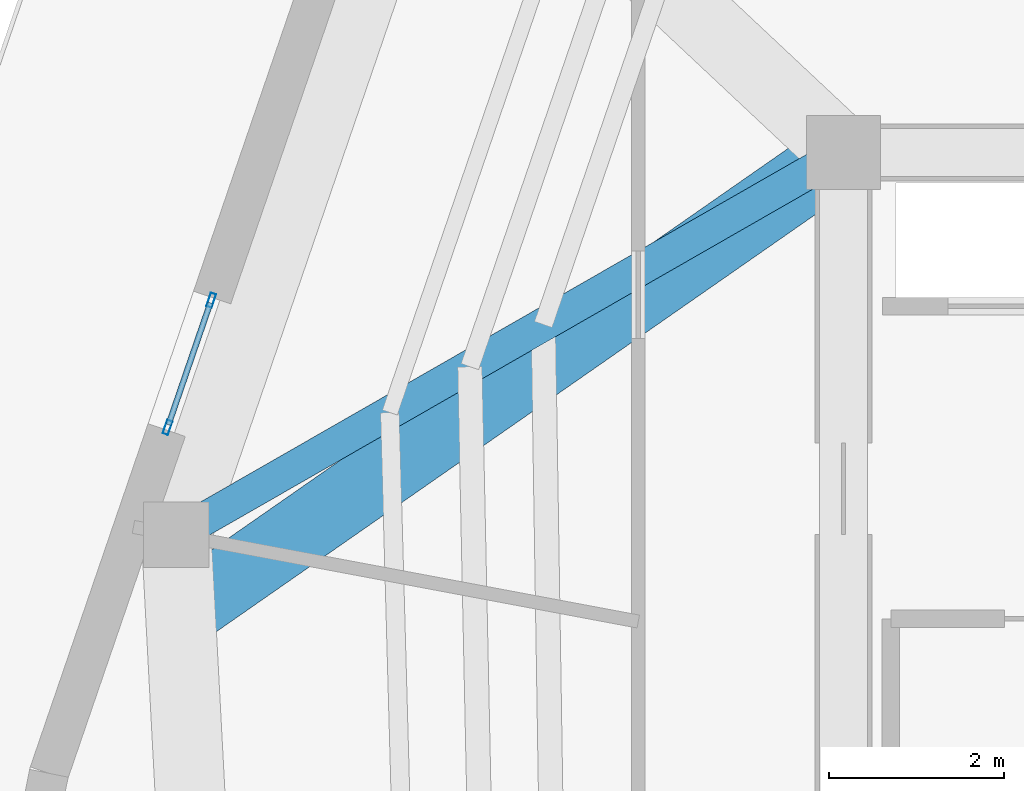
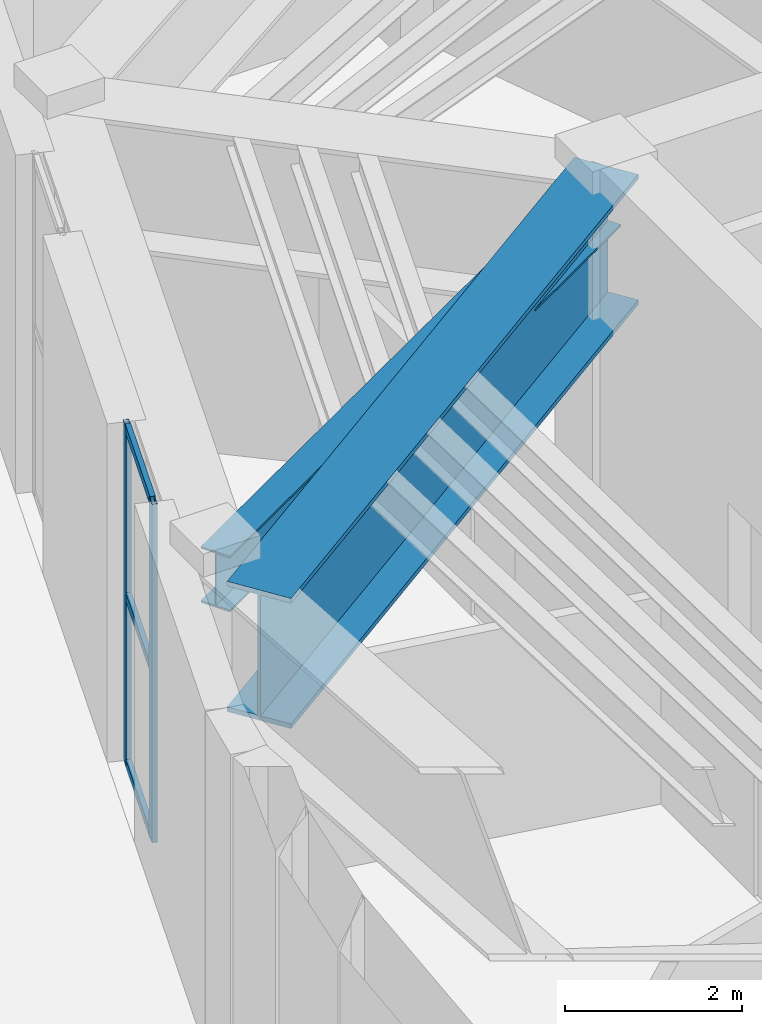
# One storey, part 7 of 24: 5 members, 2 beams, 1 element without a shape of its own.
"""IFC4 building model written with IfcOpenShell, lengths in metres."""

from ifc_helpers import new_model, si_unit, direction, frame, origin, origin_2d, place, context, subcontext, project, spatial, hollow_rectangle, i_section, extrude, material, layer, layer_set, material_profile, profile_set, type_object, element, aggregate, save


model = new_model("IFC4")

# Units and contexts
model_context = context("Model", 3, precision=1e-05, world=origin(), true_north=direction((0.0, 1.0)))
body_context = subcontext(model_context, "Body", "Model", "MODEL_VIEW")
ifc_project = project(units=[si_unit("LENGTHUNIT", "METRE"), si_unit("AREAUNIT", "SQUARE_METRE"), si_unit("VOLUMEUNIT", "CUBIC_METRE"), si_unit("PLANEANGLEUNIT", "RADIAN"), si_unit("MASSUNIT", "GRAM", prefix="KILO")], contexts=[model_context])

# Site, building, storey
site_placement = place(None, origin())
site = spatial("IfcSite", under=ifc_project, at=site_placement, CompositionType="ELEMENT")
building_placement = place(site_placement, origin())
building = spatial("IfcBuilding", under=site, at=building_placement, Name="Kilnhurst Terrace Hotel", CompositionType="ELEMENT")
storey_placement = place(building_placement, frame((0.0, 0.0, 305.39990234375)))
storey = spatial("IfcBuildingStorey", under=building, at=storey_placement, Name="L76", CompositionType="ELEMENT", Elevation=305.39990234375)

# Beam
ifc_material_1 = material(Name="Steel ASTM A992 Grade 50", Category="steel")
ifc_material_profile_1 = material_profile(ifc_material_1, i_section(OverallWidth=0.380615234375, OverallDepth=0.773193359375, WebThickness=0.0166015625, FlangeThickness=0.027099609375, at=origin_2d()), Name="W30X173")
ifc_profile_set_1 = profile_set([ifc_material_profile_1], Name="Steel ASTM A992 Grade 50")
beam_type_1 = type_object("IfcBeamType", Name="BM-STL-W30X173", PredefinedType="BEAM", material=ifc_profile_set_1)
beam_1_placement = place(storey_placement, frame((-9.0, 7.5, 4.293212890625), z_axis=(-0.867520700854, -0.497401079201, 0.0), x_axis=(0.497401079201, -0.867520700854, 0.0)))
element("IfcBeam", 1, at=beam_1_placement, inside=storey, type_object=beam_type_1, Name="L76 Radial Floor Beam 10", PredefinedType="BEAM", context=body_context, shape_type="SweptSolid", body=[
    extrude(i_section(OverallWidth=0.380615234375, OverallDepth=0.773193359375, WebThickness=0.0166015625, FlangeThickness=0.027099609375, at=origin_2d()), origin(), (0.0, 0.0, 1.0), 8.80810546875),
])

# Curtain wall, members
ifc_material_2 = material(Name="Anodized Aluminium Alloy 6063-T6 and Low-E Glass", Category="aluminium")
ifc_layer = layer(ifc_material_2, 0.219970703125, Name="Anodized Aluminium Alloy 6063-T6 and Low-E Glass")
ifc_layer_set = layer_set([ifc_layer], Name="Anodized Aluminium Alloy 6063-T6 and Low-E Glass")
curtain_wall_type = type_object("IfcCurtainWallType", Name="CW-OBS-CROWN", PredefinedType="NOTDEFINED", material=ifc_layer_set)
curtain_wall_placement = place(storey_placement, origin())
curtain_wall = element("IfcCurtainWall", 2, at=curtain_wall_placement, inside=storey, type_object=curtain_wall_type, Name="L76 Curtain Wall CW-L76-F5-2", PredefinedType="NOTDEFINED")
ifc_material_3 = material(Name="Extruded Aluminium Alloy 6063-T6", Category="aluminium")
ifc_material_profile_2 = material_profile(ifc_material_3, hollow_rectangle(XDim=0.06494140625, YDim=0.1650390625, WallThickness=0.00341796875, at=origin_2d()), Name="CWM65X165")
ifc_profile_set_2 = profile_set([ifc_material_profile_2], Name="Extruded Aluminium Alloy 6063-T6")
member_type_1 = type_object("IfcMemberType", Name="MEM-CWM65X165", PredefinedType="MULLION", material=ifc_profile_set_2)
member_1_placement = place(storey_placement, frame((-16.241455078125, 5.807373046875, 0.0), z_axis=(0.0, 0.0, 1.0), x_axis=(0.945886945462, -0.324496358075, 0.0)))
member_1 = element("IfcMember", 3, at=member_1_placement, type_object=member_type_1, Name="CWO-6 mullion 1", PredefinedType="MULLION", context=body_context, shape_type="SweptSolid", body=[
    extrude(hollow_rectangle(XDim=0.06494140625, YDim=0.1650390625, WallThickness=0.00341796875, at=origin_2d()), origin(), (0.0, 0.0, 1.0), 4.68017578125),
])
member_2_placement = place(storey_placement, frame((-16.7412109375, 4.350830078125, 0.0), z_axis=(0.0, 0.0, 1.0), x_axis=(0.945886945462, -0.324496358075, 0.0)))
member_2 = element("IfcMember", 4, at=member_2_placement, type_object=member_type_1, Name="CWO-6 mullion 2", PredefinedType="MULLION", context=body_context, shape_type="SweptSolid", body=[
    extrude(hollow_rectangle(XDim=0.06494140625, YDim=0.1650390625, WallThickness=0.00341796875, at=origin_2d()), origin(), (0.0, 0.0, 1.0), 4.68017578125),
])
ifc_material_profile_3 = material_profile(ifc_material_3, hollow_rectangle(XDim=0.06494140625, YDim=0.1201171875, WallThickness=0.00341796875, at=origin_2d()), Name="CWT65X120")
ifc_profile_set_3 = profile_set([ifc_material_profile_3], Name="Extruded Aluminium Alloy 6063-T6")
member_type_2 = type_object("IfcMemberType", Name="MEM-CWT65X120", PredefinedType="USERDEFINED", material=ifc_profile_set_3)
member_3_placement = place(storey_placement, frame((-16.251953125, 5.776611328125, 0.03271484375), z_axis=(-0.324607853994, -0.945848688282, 0.0), x_axis=(0.945848688282, -0.324607853994, 0.0)))
member_3 = element("IfcMember", 5, at=member_3_placement, type_object=member_type_2, Name="CWO-6 transom 1.1", ObjectType="TRANSOM", PredefinedType="USERDEFINED", context=body_context, shape_type="SweptSolid", body=[
    extrude(hollow_rectangle(XDim=0.06494140625, YDim=0.1201171875, WallThickness=0.00341796875, at=origin_2d()), origin(), (0.0, 0.0, 1.0), 1.474853515625),
])
member_4_placement = place(storey_placement, frame((-16.251953125, 5.776611328125, 2.340087890625), z_axis=(-0.324607853994, -0.945848688282, 0.0), x_axis=(0.945848688282, -0.324607853994, 0.0)))
member_4 = element("IfcMember", 6, at=member_4_placement, type_object=member_type_2, Name="CWO-6 transom 1.2", ObjectType="TRANSOM", PredefinedType="USERDEFINED", context=body_context, shape_type="SweptSolid", body=[
    extrude(hollow_rectangle(XDim=0.06494140625, YDim=0.1201171875, WallThickness=0.00341796875, at=origin_2d()), origin(), (0.0, 0.0, 1.0), 1.474853515625),
])
member_5_placement = place(storey_placement, frame((-16.251953125, 5.776611328125, 4.647705078125), z_axis=(-0.324607853994, -0.945848688282, 0.0), x_axis=(0.945848688282, -0.324607853994, 0.0)))
member_5 = element("IfcMember", 7, at=member_5_placement, type_object=member_type_2, Name="CWO-6 transom 1.3", ObjectType="TRANSOM", PredefinedType="USERDEFINED", context=body_context, shape_type="SweptSolid", body=[
    extrude(hollow_rectangle(XDim=0.06494140625, YDim=0.1201171875, WallThickness=0.00341796875, at=origin_2d()), origin(), (0.0, 0.0, 1.0), 1.474853515625),
])
aggregate(curtain_wall, [member_1, member_2, member_3, member_4, member_5])

# Beam
ifc_material_4 = material(Name="Steel ASTM A572 Grade 50", Category="steel")
ifc_material_profile_4 = material_profile(ifc_material_4, i_section(OverallWidth=0.800048828125, OverallDepth=1.800048828125, WebThickness=0.0400390625, FlangeThickness=0.06494140625, at=origin_2d()), Name="PG1800X800")
ifc_profile_set_4 = profile_set([ifc_material_profile_4], Name="Steel ASTM A572 Grade 50")
beam_type_2 = type_object("IfcBeamType", Name="TG-STEP-1800", PredefinedType="USERDEFINED", material=ifc_profile_set_4)
beam_2_placement = place(storey_placement, frame((-9.0, 7.5, 3.780029296875), z_axis=(-0.820626523243, -0.571464880242, 0.0), x_axis=(0.571464880242, -0.820626523243, 0.0)))
element("IfcBeam", 8, at=beam_2_placement, inside=storey, type_object=beam_type_2, Name="L76 Zone Step Radial Transfer Girder 10", ObjectType="GIRDER", PredefinedType="USERDEFINED", context=body_context, shape_type="SweptSolid", body=[
    extrude(i_section(OverallWidth=0.800048828125, OverallDepth=1.800048828125, WebThickness=0.0400390625, FlangeThickness=0.06494140625, at=origin_2d()), origin(), (0.0, 0.0, 1.0), 9.252685546875),
])

save(model, "model.ifc")
